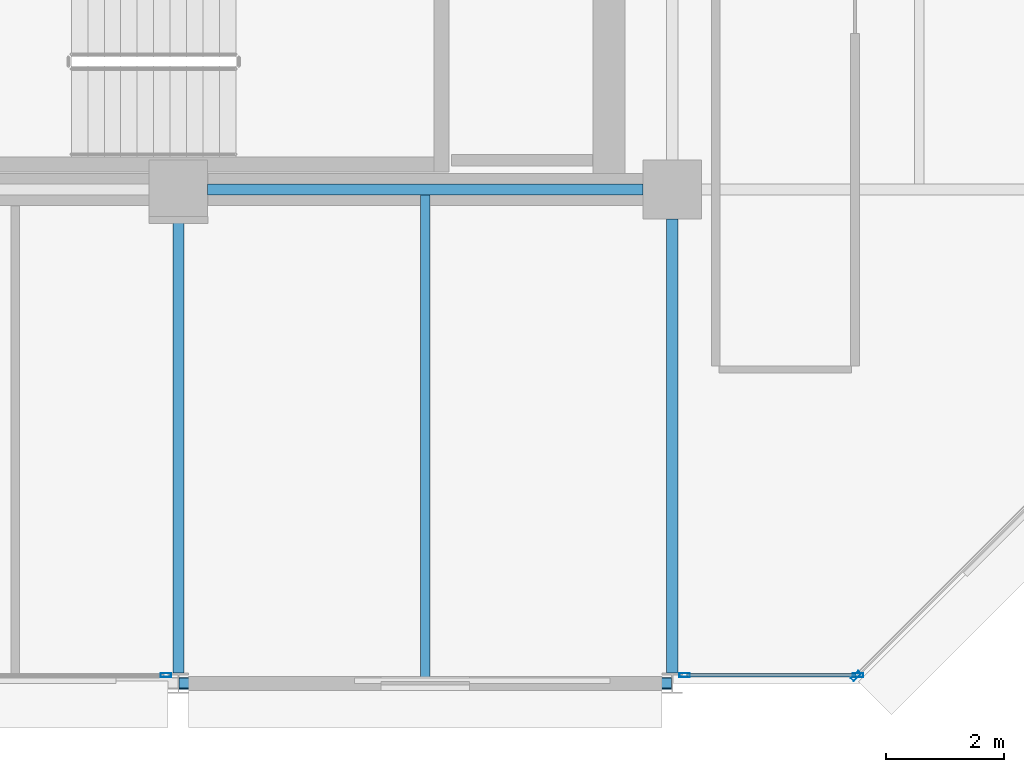
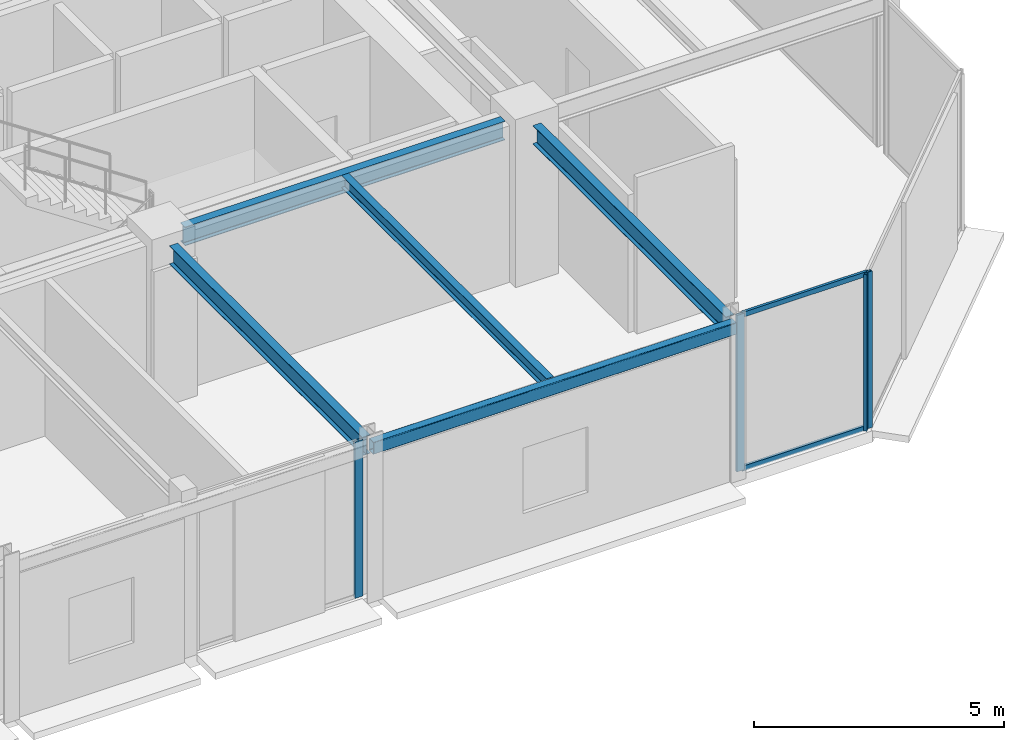
# One storey, part 11 of 29: 6 members, 5 beams, 3 elements without a shape of their own.
"""IFC4 building model written with IfcOpenShell, lengths in metres."""

from ifc_helpers import new_model, si_unit, direction, frame, origin, origin_2d, place, context, subcontext, project, spatial, hollow_rectangle, i_section, extrude, material, layer, layer_set, material_profile, profile_set, type_object, element, aggregate, save


model = new_model("IFC4")

# Units and contexts
model_context = context("Model", 3, precision=1e-05, world=origin(), true_north=direction((0.0, 1.0)))
body_context = subcontext(model_context, "Body", "Model", "MODEL_VIEW")
ifc_project = project(units=[si_unit("LENGTHUNIT", "METRE"), si_unit("AREAUNIT", "SQUARE_METRE"), si_unit("VOLUMEUNIT", "CUBIC_METRE"), si_unit("PLANEANGLEUNIT", "RADIAN"), si_unit("MASSUNIT", "GRAM", prefix="KILO")], contexts=[model_context])

# Site, building, storey
site_placement = place(None, origin())
site = spatial("IfcSite", under=ifc_project, at=site_placement, CompositionType="ELEMENT")
building_placement = place(site_placement, origin())
building = spatial("IfcBuilding", under=site, at=building_placement, Name="Nerrivon Quay Data Exchange", CompositionType="ELEMENT")
storey_placement = place(building_placement, frame((0.0, 0.0, 204.199951171875)))
storey = spatial("IfcBuildingStorey", under=building, at=storey_placement, Name="L48", CompositionType="ELEMENT", Elevation=204.199951171875)

# Beams
ifc_material_1 = material(Name="Steel Grade 350", Category="steel")
ifc_material_profile_1 = material_profile(ifc_material_1, i_section(OverallWidth=0.19091796875, OverallDepth=0.4599609375, WebThickness=0.010009765625, FlangeThickness=0.01611328125, FilletRadius=0.011474609375, at=origin_2d()), Name="460UB82.1")
ifc_profile_set_1 = profile_set([ifc_material_profile_1], Name="Steel Grade 350")
beam_type_1 = type_object("IfcBeamType", Name="BM-G5-460UB82", PredefinedType="BEAM", material=ifc_profile_set_1)
beam_1_placement = place(storey_placement, frame((25.699951171875, 8.39990234375, 3.594970703125), z_axis=(1.0, 0.0, 0.0), x_axis=(0.0, 1.0, 0.0)))
element("IfcBeam", 1, at=beam_1_placement, inside=storey, type_object=beam_type_1, Name="L48 EW Girder Y=8.4 (25.2..33.6)", PredefinedType="BEAM", context=body_context, shape_type="SweptSolid", body=[
    extrude(i_section(OverallWidth=0.19091796875, OverallDepth=0.4599609375, WebThickness=0.010009765625, FlangeThickness=0.01611328125, FilletRadius=0.011474609375, at=origin_2d()), origin(), (0.0, 0.0, 1.0), 7.400146484375),
])
ifc_material_profile_2 = material_profile(ifc_material_1, i_section(OverallWidth=0.18994140625, OverallDepth=0.4541015625, WebThickness=0.008544921875, FlangeThickness=0.0126953125, FilletRadius=0.011474609375, at=origin_2d()), Name="460UB67.1")
ifc_profile_set_2 = profile_set([ifc_material_profile_2], Name="Steel Grade 350")
beam_type_2 = type_object("IfcBeamType", Name="BM-G6-460UB67", PredefinedType="BEAM", material=ifc_profile_set_2)
for number, where, z_axis, x_axis, name in (
    (2, (25.199951171875, 0.175048828125, 3.59814453125), (0.0, 1.0, 0.0), (-1.0, 0.0, 0.0), "L48 NS Girder X=25.2 (0.0..8.4)"),
    (3, (33.60009765625, 0.175048828125, 3.59814453125), (0.0, 1.0, 0.0), (-1.0, 0.0, 0.0), "L48 NS Girder X=33.6 (0.0..8.4)"),
):
    element("IfcBeam", number, at=place(storey_placement, frame(where, z_axis=z_axis, x_axis=x_axis)), inside=storey, type_object=beam_type_2, Name=name, PredefinedType="BEAM", context=body_context, shape_type="SweptSolid", body=[
        extrude(i_section(OverallWidth=0.18994140625, OverallDepth=0.4541015625, WebThickness=0.008544921875, FlangeThickness=0.0126953125, FilletRadius=0.011474609375, at=origin_2d()), origin(), (0.0, 0.0, 1.0), 7.724853515625),
    ])
ifc_material_profile_3 = material_profile(ifc_material_1, i_section(OverallWidth=0.166015625, OverallDepth=0.306884765625, WebThickness=0.006591796875, FlangeThickness=0.01171875, FilletRadius=0.011474609375, at=origin_2d()), Name="310UB46.2")
ifc_profile_set_3 = profile_set([ifc_material_profile_3], Name="Steel Grade 350")
beam_type_3 = type_object("IfcBeamType", Name="BM-J5-310UB46", PredefinedType="JOIST", material=ifc_profile_set_3)
beam_2_placement = place(storey_placement, frame((29.39990234375, 0.10009765625, 3.671630859375), z_axis=(0.0, 1.0, 0.0), x_axis=(-1.0, 0.0, 0.0)))
element("IfcBeam", 4, at=beam_2_placement, inside=storey, type_object=beam_type_3, Name="L48 Secondary Joist X=29.4 (0.0..8.4)", PredefinedType="JOIST", context=body_context, shape_type="SweptSolid", body=[
    extrude(i_section(OverallWidth=0.166015625, OverallDepth=0.306884765625, WebThickness=0.006591796875, FlangeThickness=0.01171875, FilletRadius=0.011474609375, at=origin_2d()), origin(), (0.0, 0.0, 1.0), 8.204345703125),
])
ifc_material_2 = material(Name="Steel Grade C350L0 (350 MPa)", Category="steel")
ifc_material_profile_4 = material_profile(ifc_material_2, hollow_rectangle(XDim=0.199951171875, YDim=0.300048828125, WallThickness=0.012451171875, InnerFilletRadius=0.018798828125, OuterFilletRadius=0.03125, at=origin_2d()), Name="300x200x12.5RHS")
ifc_profile_set_4 = profile_set([ifc_material_profile_4], Name="Steel Grade C350L0 (350 MPa)")
beam_type_4 = type_object("IfcBeamType", Name="BM-SP3-300x200RHS", PredefinedType="SPANDREL", material=ifc_profile_set_4)
beam_3_placement = place(storey_placement, frame((25.2099609375, 0.0, 3.675048828125), z_axis=(1.0, 0.0, 0.0), x_axis=(0.0, 1.0, 0.0)))
element("IfcBeam", 5, at=beam_3_placement, inside=storey, type_object=beam_type_4, Name="L48 EW Girder Y=0.0 (25.2..33.6)", PredefinedType="SPANDREL", context=body_context, shape_type="SweptSolid", body=[
    extrude(hollow_rectangle(XDim=0.199951171875, YDim=0.300048828125, WallThickness=0.012451171875, InnerFilletRadius=0.018798828125, OuterFilletRadius=0.03125, at=origin_2d()), origin(), (0.0, 0.0, 1.0), 8.380126953125),
])

# Curtain wall, member
ifc_material_3 = material(Name="Anodised aluminium 6063-T6", Category="aluminium")
ifc_layer = layer(ifc_material_3, 0.195068359375)
ifc_layer_set = layer_set([ifc_layer], Name="Anodised aluminium 6063-T6")
curtain_wall_type = type_object("IfcCurtainWallType", Name="CW-SYS-06", PredefinedType="NOTDEFINED", material=ifc_layer_set)
curtain_wall_1_placement = place(storey_placement, origin())
curtain_wall_1 = element("IfcCurtainWall", 6, at=curtain_wall_1_placement, inside=storey, type_object=curtain_wall_type, Name="L48 Unitised Curtain Wall 21", PredefinedType="NOTDEFINED")
ifc_material_profile_5 = material_profile(ifc_material_3, hollow_rectangle(XDim=0.06494140625, YDim=0.179931640625, WallThickness=0.00341796875, at=origin_2d()), Name="ALU-MULL-180x65")
ifc_profile_set_5 = profile_set([ifc_material_profile_5], Name="Anodised aluminium 6063-T6")
member_type_1 = type_object("IfcMemberType", Name="CWM-180x65", PredefinedType="MULLION", material=ifc_profile_set_5)
member_1_placement = place(storey_placement, frame((36.7275390625, 0.12548828125, 0.0), z_axis=(0.0, 0.0, 1.0), x_axis=(0.707106781187, -0.707106781187, 0.0)))
member_1 = element("IfcMember", 7, at=member_1_placement, type_object=member_type_1, Name="CW06 mullion 2", PredefinedType="MULLION", context=body_context, shape_type="SweptSolid", body=[
    extrude(hollow_rectangle(XDim=0.06494140625, YDim=0.179931640625, WallThickness=0.00341796875, at=origin_2d()), origin(), (0.0, 0.0, 1.0), 3.824951171875),
])
aggregate(curtain_wall_1, [member_1])

# Curtain wall, members
curtain_wall_2_placement = place(storey_placement, origin())
curtain_wall_2 = element("IfcCurtainWall", 8, at=curtain_wall_2_placement, inside=storey, type_object=curtain_wall_type, Name="L48 Unitised Curtain Wall 22", PredefinedType="NOTDEFINED")
member_2_placement = place(storey_placement, frame((36.762451171875, 0.139892578125, 0.0), z_axis=(0.0, 0.0, 1.0), x_axis=(0.0, -1.0, 0.0)))
member_2 = element("IfcMember", 9, at=member_2_placement, type_object=member_type_1, Name="CW06 mullion 1", PredefinedType="MULLION", context=body_context, shape_type="SweptSolid", body=[
    extrude(hollow_rectangle(XDim=0.06494140625, YDim=0.179931640625, WallThickness=0.00341796875, at=origin_2d()), origin(), (0.0, 0.0, 1.0), 3.824951171875),
])
member_3_placement = place(storey_placement, frame((33.8125, 0.139892578125, 0.0), z_axis=(0.0, 0.0, 1.0), x_axis=(0.0, -1.0, 0.0)))
member_3 = element("IfcMember", 10, at=member_3_placement, type_object=member_type_1, Name="CW06 mullion 2", PredefinedType="MULLION", context=body_context, shape_type="SweptSolid", body=[
    extrude(hollow_rectangle(XDim=0.06494140625, YDim=0.179931640625, WallThickness=0.00341796875, at=origin_2d()), origin(), (0.0, 0.0, 1.0), 3.824951171875),
])

# Curtain wall, member
curtain_wall_3_placement = place(storey_placement, origin())
curtain_wall_3 = element("IfcCurtainWall", 11, at=curtain_wall_3_placement, inside=storey, type_object=curtain_wall_type, Name="L48 Unitised Curtain Wall 24", PredefinedType="NOTDEFINED")
member_4_placement = place(storey_placement, frame((24.987548828125, 0.139892578125, 0.0), z_axis=(0.0, 0.0, 1.0), x_axis=(0.0, -1.0, 0.0)))
member_4 = element("IfcMember", 12, at=member_4_placement, type_object=member_type_1, Name="CW06 mullion 1", PredefinedType="MULLION", context=body_context, shape_type="SweptSolid", body=[
    extrude(hollow_rectangle(XDim=0.06494140625, YDim=0.179931640625, WallThickness=0.00341796875, at=origin_2d()), origin(), (0.0, 0.0, 1.0), 3.824951171875),
])
aggregate(curtain_wall_3, [member_4])

# Member
ifc_material_profile_6 = material_profile(ifc_material_3, hollow_rectangle(XDim=0.06005859375, YDim=0.1201171875, WallThickness=0.003173828125, at=origin_2d()), Name="ALU-TRAN-120x60")
ifc_profile_set_6 = profile_set([ifc_material_profile_6], Name="Anodised aluminium 6063-T6")
member_type_2 = type_object("IfcMemberType", Name="CWT-120x60", PredefinedType="USERDEFINED", material=ifc_profile_set_6)
member_5_placement = place(storey_placement, frame((36.72509765625, 0.139892578125, 0.032470703125), z_axis=(-1.0, 0.0, 0.0), x_axis=(0.0, -1.0, 0.0)))
member_5 = element("IfcMember", 13, at=member_5_placement, type_object=member_type_2, Name="CW06 transom 1.1", ObjectType="TRANSOM", PredefinedType="USERDEFINED", context=body_context, shape_type="SweptSolid", body=[
    extrude(hollow_rectangle(XDim=0.06005859375, YDim=0.1201171875, WallThickness=0.003173828125, at=origin_2d()), origin(), (0.0, 0.0, 1.0), 2.875),
])

member_6_placement = place(storey_placement, frame((36.72509765625, 0.139892578125, 3.79248046875), z_axis=(-1.0, 0.0, 0.0), x_axis=(0.0, -1.0, 0.0)))
member_6 = element("IfcMember", 14, at=member_6_placement, type_object=member_type_2, Name="CW06 transom 1.2", ObjectType="TRANSOM", PredefinedType="USERDEFINED", context=body_context, shape_type="SweptSolid", body=[
    extrude(hollow_rectangle(XDim=0.06005859375, YDim=0.1201171875, WallThickness=0.003173828125, at=origin_2d()), origin(), (0.0, 0.0, 1.0), 2.875),
])

aggregate(curtain_wall_2, [member_2, member_3, member_5, member_6])

save(model, "model.ifc")
